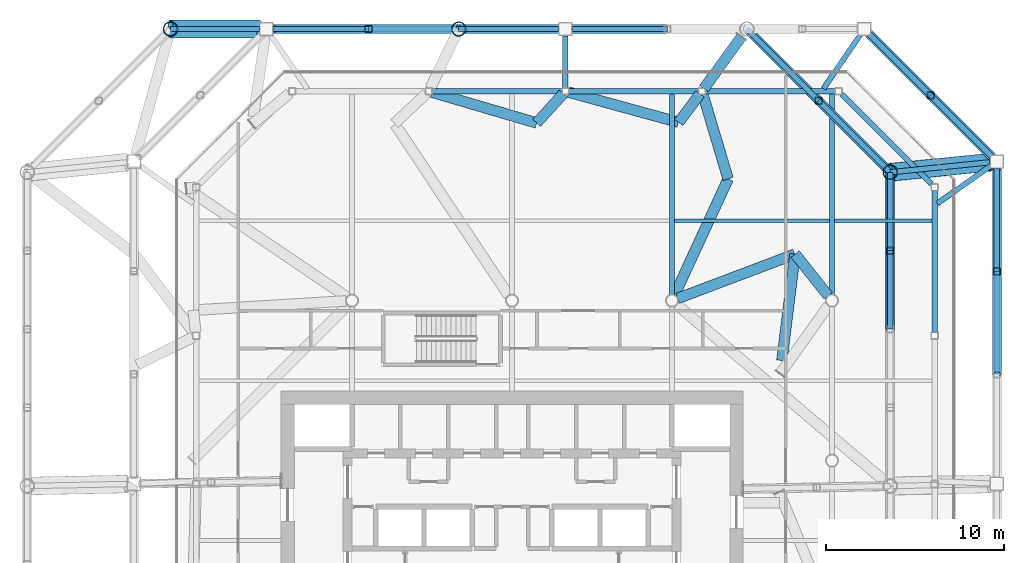
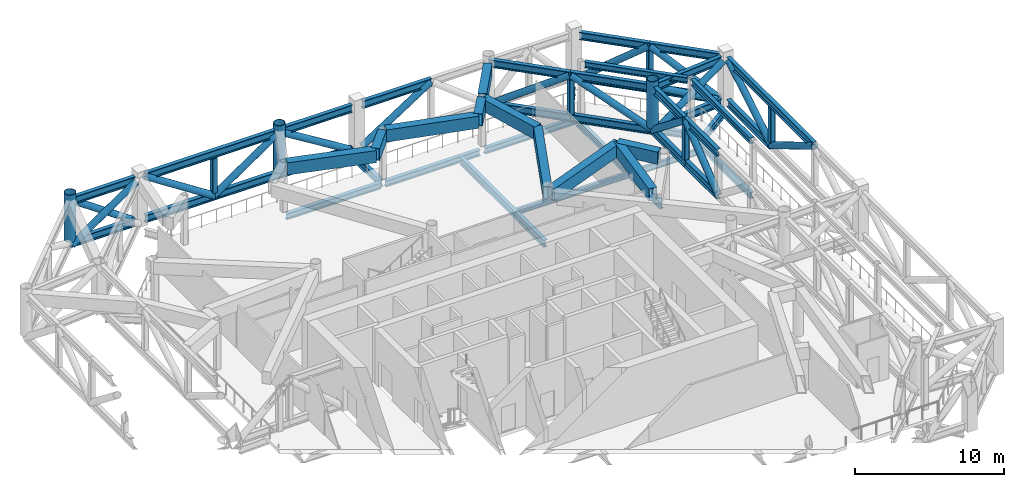
# One storey, part 7 of 21: 46 beams, 24 members.
"""IFC4 building model written with IfcOpenShell, lengths in metres."""

import ifcopenshell
import ifcopenshell.guid

model = None  # the IFC model being written
_history = None  # IfcOwnerHistory: only IFC2X3 demands one
_inside = {}  # id of a spatial element -> (the spatial element, [elements in it])
_under = {}  # id of a project, library or spatial element -> (it, [spatial elements below it])
_declared = {}  # id of a project -> (the project, [libraries it declares])
_typed = {}  # id of a type object -> (the type object, [elements of that type])
_made_of = {}  # id of a material, layer set ... -> (it, [elements and type objects made of it])


def new_model(schema):
    """Start an empty IFC model of exactly this schema.

    Asked for "IFC4X3", IfcOpenShell would pick the latest addendum, in which some entities
    have other attributes; the version numbers below select the first issue.
    IFC2X3 requires an IfcOwnerHistory on every rooted entity: one is made here for all.
    """
    global model, _history
    if schema == "IFC4X3":
        model = ifcopenshell.file(schema_version=(4, 3, 0, 0))
    else:
        model = ifcopenshell.file(schema=schema)
    _inside.clear()
    _under.clear()
    _declared.clear()
    _typed.clear()
    _made_of.clear()
    _history = None
    if model.schema == "IFC2X3":
        org = make("IfcOrganization", Name="unknown")
        user = make(
            "IfcPersonAndOrganization",
            ThePerson=make("IfcPerson", FamilyName="unknown"),
            TheOrganization=org,
        )
        app = make(
            "IfcApplication",
            ApplicationDeveloper=org,
            Version="unknown",
            ApplicationFullName="unknown",
            ApplicationIdentifier="unknown",
        )
        _history = make(
            "IfcOwnerHistory",
            OwningUser=user,
            OwningApplication=app,
            ChangeAction="ADDED",
            CreationDate=0,
        )
    return model


def make(cls, **values):
    """One entity of the class cls with the attributes given. An attribute that is None is left unset."""
    return model.create_entity(
        cls, **{name: value for name, value in values.items() if value is not None}
    )


def rooted(cls, **values):
    """An entity with a GlobalId (a new one), such as an element, a storey or a relation."""
    return make(cls, GlobalId=ifcopenshell.guid.new(), OwnerHistory=_history, **values)


def si_unit(unit_type, name, prefix=None):
    """IfcSIUnit, for example si_unit("LENGTHUNIT", "METRE", prefix="MILLI")."""
    return make("IfcSIUnit", UnitType=unit_type, Prefix=prefix, Name=name)


def assignment(units):
    """IfcUnitAssignment: the units of a project."""
    return None if units is None else make("IfcUnitAssignment", Units=units)


def point(xyz):
    """IfcCartesianPoint."""
    return None if xyz is None else make("IfcCartesianPoint", Coordinates=xyz)


def direction(xyz):
    """IfcDirection."""
    return None if xyz is None else make("IfcDirection", DirectionRatios=xyz)


def frame(location, z_axis=None, x_axis=None):
    """IfcAxis2Placement3D, a coordinate frame: its origin and axes. An axis left out is left unset."""
    return make(
        "IfcAxis2Placement3D",
        Location=point(location),
        Axis=direction(z_axis),
        RefDirection=direction(x_axis),
    )


def frame_2d(location, x_axis=None):
    """IfcAxis2Placement2D, a coordinate frame in the plane: its origin and x axis."""
    return make(
        "IfcAxis2Placement2D", Location=point(location), RefDirection=direction(x_axis)
    )


def origin():
    """The frame at (0, 0, 0) with its axes left unset."""
    return frame((0.0, 0.0, 0.0))


def origin_2d():
    """The frame at (0, 0) in the plane with its x axis left unset."""
    return frame_2d((0.0, 0.0))


def place(relative_to, where):
    """IfcLocalPlacement: puts the frame where relative to a parent placement (None: the world)."""
    return make(
        "IfcLocalPlacement", PlacementRelTo=relative_to, RelativePlacement=where
    )


def context(
    kind, dimensions, precision=None, world=None, true_north=None, identifier=None
):
    """IfcGeometricRepresentationContext, for example the 3D "Model" context."""
    return make(
        "IfcGeometricRepresentationContext",
        ContextIdentifier=identifier,
        ContextType=kind,
        CoordinateSpaceDimension=dimensions,
        Precision=precision,
        WorldCoordinateSystem=world,
        TrueNorth=true_north,
    )


def subcontext(parent, identifier, kind, view, scale=None):
    """IfcGeometricRepresentationSubContext, for example "Body" below "Model"."""
    return make(
        "IfcGeometricRepresentationSubContext",
        ContextIdentifier=identifier,
        ContextType=kind,
        ParentContext=parent,
        TargetScale=scale,
        TargetView=view,
    )


def project(units=None, contexts=None):
    """IfcProject with its units and contexts."""
    return rooted(
        "IfcProject",
        Name="project",
        RepresentationContexts=contexts,
        UnitsInContext=assignment(units),
    )


def spatial(cls, under=None, at=None, **own):
    """A site, building, storey or space (cls), placed at a placement, below another one or the project."""
    s = rooted(cls, ObjectPlacement=at, **own)
    if under is not None:
        _under.setdefault(under.id(), (under, []))[1].append(s)
    return s


def profile(cls, at=None, kind="AREA", **sizes):
    """A parametric profile (cls). Its sizes go by their IFC names, for example OverallWidth=200.0."""
    return make(cls, ProfileType=kind, Position=at, **sizes)


def hollow_rectangle(**sizes):
    """IfcRectangleHollowProfileDef."""
    return profile("IfcRectangleHollowProfileDef", **sizes)


def hollow_circle(**sizes):
    """IfcCircleHollowProfileDef."""
    return profile("IfcCircleHollowProfileDef", **sizes)


def i_section(**sizes):
    """IfcIShapeProfileDef."""
    return profile("IfcIShapeProfileDef", **sizes)


def extrude(swept, where, along, depth):
    """IfcExtrudedAreaSolid: the profile swept, set in the frame where, extruded along a direction by depth."""
    return make(
        "IfcExtrudedAreaSolid",
        SweptArea=swept,
        Position=where,
        ExtrudedDirection=direction(along),
        Depth=depth,
    )


def shape(context_of_items, identifier, shape_type, items):
    """IfcShapeRepresentation: the items that make up one representation, for example the "Body"."""
    return make(
        "IfcShapeRepresentation",
        ContextOfItems=context_of_items,
        RepresentationIdentifier=identifier,
        RepresentationType=shape_type,
        Items=items,
    )


def material(Name=None, Category=None):
    """IfcMaterial."""
    return make("IfcMaterial", Name=Name, Category=Category)


def material_profile(
    of_material, cross_section, Name=None, Category=None, Priority=None
):
    """IfcMaterialProfile: a cross section and its material."""
    return make(
        "IfcMaterialProfile",
        Name=Name,
        Material=of_material,
        Profile=cross_section,
        Priority=Priority,
        Category=Category,
    )


def profile_set(profiles, Name=None, composite=None):
    """IfcMaterialProfileSet."""
    return make(
        "IfcMaterialProfileSet",
        Name=Name,
        MaterialProfiles=profiles,
        CompositeProfile=composite,
    )


def made_of(thing, what):
    """Note that an element or type object is made of a material, layer set ...; save() writes the relation."""
    if what is not None:
        _made_of.setdefault(what.id(), (what, []))[1].append(thing)
    return thing


def type_object(cls, material=None, **own):
    """A type object (cls), such as IfcWallType, which elements share."""
    return made_of(rooted(cls, **own), material)


def element(
    cls,
    number,
    at=None,
    inside=None,
    cuts=None,
    type_object=None,
    material=None,
    context=None,
    identifier="Body",
    shape_type=None,
    held_by="IfcProductDefinitionShape",
    body=None,
    shapes=None,
    **own,
):
    """One element of the class cls, such as IfcWall. Its Tag is "e" and its number.

    at: its placement. inside: the storey or other place that contains it. cuts: it is an
    opening in that element (IfcRelVoidsElement). A single representation is given by context,
    identifier, shape_type and body (its items); several are given by shapes. held_by: the class
    of the entity that holds the representations. save() writes the other relations.
    """
    e = rooted(cls, Tag="e%d" % number, ObjectPlacement=at, **own)
    if body is not None:
        shapes = [shape(context, identifier, shape_type, body)]
    if shapes is not None:
        e.Representation = make(held_by, Representations=shapes)
    if inside is not None:
        _inside.setdefault(inside.id(), (inside, []))[1].append(e)
    if cuts is not None:
        rooted(
            "IfcRelVoidsElement", RelatingBuildingElement=cuts, RelatedOpeningElement=e
        )
    if type_object is not None:
        _typed.setdefault(type_object.id(), (type_object, []))[1].append(e)
    return made_of(e, material)


def aggregate(whole, parts):
    """IfcRelAggregates: a whole, such as a stair, and the parts it consists of."""
    return rooted("IfcRelAggregates", RelatingObject=whole, RelatedObjects=parts)


def save(model, path):
    """Write the relations noted so far, then the file.

    IfcRelAggregates (storeys below a building ...), IfcRelContainedInSpatialStructure (elements
    in a storey), IfcRelDefinesByType, IfcRelAssociatesMaterial and IfcRelDeclares: one each for
    every whole, place, type object, material and project.
    """
    for whole, parts in _under.values():
        aggregate(whole, parts)
    for where, things in _inside.values():
        rooted(
            "IfcRelContainedInSpatialStructure",
            RelatedElements=things,
            RelatingStructure=where,
        )
    for kind, things in _typed.values():
        rooted("IfcRelDefinesByType", RelatedObjects=things, RelatingType=kind)
    for what, things in _made_of.values():
        rooted("IfcRelAssociatesMaterial", RelatedObjects=things, RelatingMaterial=what)
    for by, libraries in _declared.values():
        rooted("IfcRelDeclares", RelatingContext=by, RelatedDefinitions=libraries)
    model.write(path)


model = new_model("IFC4")

# Units and contexts
model_context = context("Model", 3, precision=1e-05, world=origin(), true_north=direction((0.0, 1.0)))
body_context = subcontext(model_context, "Body", "Model", "MODEL_VIEW")
ifc_project = project(units=[si_unit("LENGTHUNIT", "METRE"), si_unit("AREAUNIT", "SQUARE_METRE"), si_unit("VOLUMEUNIT", "CUBIC_METRE"), si_unit("PLANEANGLEUNIT", "RADIAN"), si_unit("MASSUNIT", "GRAM", prefix="KILO")], contexts=[model_context])

# Site, building, storey
site_placement = place(None, origin())
site = spatial("IfcSite", under=ifc_project, at=site_placement, CompositionType="ELEMENT")
building_placement = place(site_placement, origin())
building = spatial("IfcBuilding", under=site, at=building_placement, Name="Tskaro Facet Tower", CompositionType="ELEMENT")
storey_placement = place(building_placement, frame((0.0, 0.0, 167.699951171875)))
storey = spatial("IfcBuildingStorey", under=building, at=storey_placement, Name="L41", CompositionType="ELEMENT", Elevation=167.699951171875)

# Beams
ifc_material_1 = material(Name="Steel S355J2", Category="steel")
ifc_material_profile_1 = material_profile(ifc_material_1, hollow_rectangle(XDim=0.60009765625, YDim=1.0, WallThickness=0.0400390625, at=origin_2d()), Name="BOX 600x1000x40")
ifc_profile_set_1 = profile_set([ifc_material_profile_1], Name="Steel S355J2")
beam_type_1 = type_object("IfcBeamType", Name="BOX 600x1000x40 transfer girder", PredefinedType="BEAM", material=ifc_profile_set_1)
beam_1_placement = place(storey_placement, frame((9.375244140625, 19.0234375, 3.580078125), z_axis=(0.598805390917, 0.800894564726, 0.0), x_axis=(-0.800894564726, 0.598805390917, 0.0)))
element("IfcBeam", 1, at=beam_1_placement, inside=storey, type_object=beam_type_1, Name="BOX 600x1000x40 TG4-16", PredefinedType="BEAM", context=body_context, shape_type="SweptSolid", body=[
    extrude(hollow_rectangle(XDim=0.60009765625, YDim=1.0, WallThickness=0.0400390625, at=origin_2d()), origin(), (0.0, 0.0, 1.0), 1.995849609375),
])
beam_2_placement = place(storey_placement, frame((9.35595703125, 19.02880859375, 3.580078125), z_axis=(-0.964313547363, 0.26476287952, 0.0), x_axis=(-0.26476287952, -0.964313547363, 0.0)))
element("IfcBeam", 2, at=beam_2_placement, inside=storey, type_object=beam_type_1, Name="BOX 600x1000x40 TG4-17", PredefinedType="BEAM", context=body_context, shape_type="SweptSolid", body=[
    extrude(hollow_rectangle(XDim=0.60009765625, YDim=1.0, WallThickness=0.0400390625, at=origin_2d()), origin(), (0.0, 0.0, 1.0), 6.4013671875),
])
beam_3_placement = place(storey_placement, frame((1.38427734375, 18.990478515625, 3.580078125), z_axis=(0.671328525324, 0.741159909254, 0.0), x_axis=(-0.741159909254, 0.671328525324, 0.0)))
element("IfcBeam", 3, at=beam_3_placement, inside=storey, type_object=beam_type_1, Name="BOX 600x1000x40 TG4-20", PredefinedType="BEAM", context=body_context, shape_type="SweptSolid", body=[
    extrude(hollow_rectangle(XDim=0.60009765625, YDim=1.0, WallThickness=0.0400390625, at=origin_2d()), origin(), (0.0, 0.0, 1.0), 2.216552734375),
])
beam_4_placement = place(storey_placement, frame((1.38427734375, 18.990478515625, 3.580078125), z_axis=(-0.959418080231, 0.281987494982, 0.0), x_axis=(-0.281987494982, -0.959418080231, 0.0)))
element("IfcBeam", 4, at=beam_4_placement, inside=storey, type_object=beam_type_1, Name="BOX 600x1000x40 TG4-21", PredefinedType="BEAM", context=body_context, shape_type="SweptSolid", body=[
    extrude(hollow_rectangle(XDim=0.60009765625, YDim=1.0, WallThickness=0.0400390625, at=origin_2d()), origin(), (0.0, 0.0, 1.0), 6.135009765625),
])
beam_5_placement = place(storey_placement, frame((15.9248046875, 11.615234375, 3.580078125), z_axis=(0.621586359218, -0.783345644038, 0.0), x_axis=(0.783345644038, 0.621586359218, 0.0)))
element("IfcBeam", 5, at=beam_5_placement, inside=storey, type_object=beam_type_1, Name="BOX 600x1000x40 TG4-32", PredefinedType="BEAM", context=body_context, shape_type="SweptSolid", body=[
    extrude(hollow_rectangle(XDim=0.60009765625, YDim=1.0, WallThickness=0.0400390625, at=origin_2d()), origin(), (0.0, 0.0, 1.0), 2.992919921875),
])
beam_6_placement = place(storey_placement, frame((15.90625, 11.608154296875, 3.580078125), z_axis=(-0.935511085907, -0.353297336737, 0.0), x_axis=(0.353297336737, -0.935511085907, 0.0)))
element("IfcBeam", 6, at=beam_6_placement, inside=storey, type_object=beam_type_1, Name="BOX 600x1000x40 TG4-33", PredefinedType="BEAM", context=body_context, shape_type="SweptSolid", body=[
    extrude(hollow_rectangle(XDim=0.60009765625, YDim=1.0, WallThickness=0.0400390625, at=origin_2d()), origin(), (0.0, 0.0, 1.0), 7.036865234375),
])
beam_7_placement = place(storey_placement, frame((12.893798828125, 23.830322265625, 3.580078125), z_axis=(-0.585903633732, -0.81038073273, 0.0), x_axis=(0.81038073273, -0.585903633732, 0.0)))
element("IfcBeam", 7, at=beam_7_placement, inside=storey, type_object=beam_type_1, Name="BOX 600x1000x40 TG4-36", PredefinedType="BEAM", context=body_context, shape_type="SweptSolid", body=[
    extrude(hollow_rectangle(XDim=0.60009765625, YDim=1.0, WallThickness=0.0400390625, at=origin_2d()), origin(), (0.0, 0.0, 1.0), 3.58154296875),
])
beam_8_placement = place(storey_placement, frame((15.177734375, 5.62451171875, 3.580078125), z_axis=(0.12374605077, 0.992313919543, 0.0), x_axis=(-0.992313919543, 0.12374605077, 0.0)))
element("IfcBeam", 8, at=beam_8_placement, inside=storey, type_object=beam_type_1, Name="BOX 600x1000x40 TG4-38", PredefinedType="BEAM", context=body_context, shape_type="SweptSolid", body=[
    extrude(hollow_rectangle(XDim=0.60009765625, YDim=1.0, WallThickness=0.0400390625, at=origin_2d()), origin(), (0.0, 0.0, 1.0), 6.037109375),
])
beam_9_placement = place(storey_placement, frame((12.15673828125, 15.841064453125, 3.580078125), z_axis=(-0.286082761524, 0.958204912093, 0.0), x_axis=(-0.958204912093, -0.286082761524, 0.0)))
element("IfcBeam", 9, at=beam_9_placement, inside=storey, type_object=beam_type_1, Name="BOX 600x1000x40 TG4-47", PredefinedType="BEAM", context=body_context, shape_type="SweptSolid", body=[
    extrude(hollow_rectangle(XDim=0.60009765625, YDim=1.0, WallThickness=0.0400390625, at=origin_2d()), origin(), (0.0, 0.0, 1.0), 4.958251953125),
])
beam_10_placement = place(storey_placement, frame((12.15673828125, 15.841064453125, 3.580078125), z_axis=(-0.418982798095, -0.907994171182, 0.0), x_axis=(0.907994171182, -0.418982798095, 0.0)))
element("IfcBeam", 10, at=beam_10_placement, inside=storey, type_object=beam_type_1, Name="BOX 600x1000x40 TG4-48", PredefinedType="BEAM", context=body_context, shape_type="SweptSolid", body=[
    extrude(hollow_rectangle(XDim=0.60009765625, YDim=1.0, WallThickness=0.0400390625, at=origin_2d()), origin(), (0.0, 0.0, 1.0), 7.188720703125),
])

# Members
ifc_material_2 = material(Name="Steel S355J2H", Category="steel")
ifc_material_profile_2 = material_profile(ifc_material_2, hollow_circle(Radius=0.25390625, WallThickness=0.02490234375, at=origin_2d()), Name="CHS 508x25")
ifc_profile_set_2 = profile_set([ifc_material_profile_2], Name="Steel S355J2H")
member_type_1 = type_object("IfcMemberType", Name="CHS 508x25 belt diagonal", PredefinedType="BRACE", material=ifc_profile_set_2)
for number, where, z_axis, x_axis, name in (
    (11, (27.27587890625, 4.8623046875, 3.77001953125), (0.0, 0.857953163996, -0.5137279128), (-1.0, 0.0, 0.0), "CHS 508x25 BD3-052"),
    (12, (27.27587890625, 10.640625, 0.31005859375), (0.0, 0.857953163996, 0.5137279128), (-1.0, 0.0, 0.0), "CHS 508x25 BD3-053"),
):
    element("IfcMember", number, at=place(storey_placement, frame(where, z_axis=z_axis, x_axis=x_axis)), inside=storey, type_object=member_type_1, Name=name, PredefinedType="BRACE", context=body_context, shape_type="SweptSolid", body=[
        extrude(hollow_circle(Radius=0.25390625, WallThickness=0.02490234375, at=origin_2d()), origin(), (0.0, 0.0, 1.0), 6.735107421875),
    ])
for number, where, z_axis, x_axis, name in (
    (13, (26.9931640625, 17.101806640625, 0.31005859375), (-0.576532147033, 0.576572998174, 0.578942364328), (-0.707131831467, -0.707081730019, 0.0), "CHS 508x25 BD3-061"),
    (14, (23.547607421875, 20.547607421875, 3.77001953125), (-0.576572998174, 0.576532147033, -0.578942364328), (-0.707081730019, -0.707131831467, 0.0), "CHS 508x25 BD3-062"),
):
    element("IfcMember", number, at=place(storey_placement, frame(where, z_axis=z_axis, x_axis=x_axis)), inside=storey, type_object=member_type_1, Name=name, PredefinedType="BRACE", context=body_context, shape_type="SweptSolid", body=[
        extrude(hollow_circle(Radius=0.25390625, WallThickness=0.02490234375, at=origin_2d()), origin(), (0.0, 0.0, 1.0), 5.976318359375),
    ])
member_1_placement = place(storey_placement, frame((8.73974609375, 24.27587890625, 3.77001953125), z_axis=(-0.839228217417, 0.0, -0.543779366187), x_axis=(0.0, -1.0, 0.0)))
element("IfcMember", 15, at=member_1_placement, inside=storey, type_object=member_type_1, Name="CHS 508x25 BD3-074", PredefinedType="BRACE", context=body_context, shape_type="SweptSolid", body=[
    extrude(hollow_circle(Radius=0.25390625, WallThickness=0.02490234375, at=origin_2d()), origin(), (0.0, 0.0, 1.0), 6.36279296875),
])
member_2_placement = place(storey_placement, frame((2.60009765625, 24.27587890625, 0.31005859375), z_axis=(-0.850724834926, 0.0, 0.525611315746), x_axis=(0.0, -1.0, 0.0)))
element("IfcMember", 16, at=member_2_placement, inside=storey, type_object=member_type_1, Name="CHS 508x25 BD3-081", PredefinedType="BRACE", context=body_context, shape_type="SweptSolid", body=[
    extrude(hollow_circle(Radius=0.25390625, WallThickness=0.02490234375, at=origin_2d()), origin(), (0.0, 0.0, 1.0), 6.582763671875),
])
member_3_placement = place(storey_placement, frame((-3.0, 24.27587890625, 3.77001953125), z_axis=(-0.826471832222, 0.0, -0.562978072879), x_axis=(0.0, -1.0, 0.0)))
element("IfcMember", 17, at=member_3_placement, inside=storey, type_object=member_type_1, Name="CHS 508x25 BD3-082", PredefinedType="BRACE", context=body_context, shape_type="SweptSolid", body=[
    extrude(hollow_circle(Radius=0.25390625, WallThickness=0.02490234375, at=origin_2d()), origin(), (0.0, 0.0, 1.0), 6.145751953125),
])
member_4_placement = place(storey_placement, frame((-8.079345703125, 24.27587890625, 0.31005859375), z_axis=(-0.83921687102, 0.0, 0.543796876964), x_axis=(0.0, -1.0, 0.0)))
element("IfcMember", 18, at=member_4_placement, inside=storey, type_object=member_type_1, Name="CHS 508x25 BD3-083", PredefinedType="BRACE", context=body_context, shape_type="SweptSolid", body=[
    extrude(hollow_circle(Radius=0.25390625, WallThickness=0.02490234375, at=origin_2d()), origin(), (0.0, 0.0, 1.0), 6.362548828125),
])
member_5_placement = place(storey_placement, frame((21.27587890625, 7.39111328125, 0.31005859375), z_axis=(0.0, 0.7869147708, 0.617061701531), x_axis=(-1.0, 0.0, 0.0)))
element("IfcMember", 19, at=member_5_placement, inside=storey, type_object=member_type_1, Name="CHS 508x25 TB3-05-D3", PredefinedType="BRACE", context=body_context, shape_type="SweptSolid", body=[
    extrude(hollow_circle(Radius=0.25390625, WallThickness=0.02490234375, at=origin_2d()), origin(), (0.0, 0.0, 1.0), 5.607177734375),
])
member_6_placement = place(storey_placement, frame((21.27587890625, 11.803466796875, 3.77001953125), z_axis=(0.0, 0.786931348807, -0.61704055966), x_axis=(-1.0, 0.0, 0.0)))
element("IfcMember", 20, at=member_6_placement, inside=storey, type_object=member_type_1, Name="CHS 508x25 TB3-05-D4", PredefinedType="BRACE", context=body_context, shape_type="SweptSolid", body=[
    extrude(hollow_circle(Radius=0.25390625, WallThickness=0.02490234375, at=origin_2d()), origin(), (0.0, 0.0, 1.0), 5.607421875),
])
for number, where, z_axis, x_axis, name in (
    (21, (21.27587890625, 16.216064453125, 0.31005859375), (-0.604418886952, 0.604455505084, 0.518952166841), (-0.707128199903, -0.707085361822, 0.0), "CHS 508x25 TB3-06-D1"),
    (22, (17.24609375, 20.24609375, 3.77001953125), (-0.604455505084, 0.604418886952, -0.518952166841), (-0.707085361822, -0.707128199903, 0.0), "CHS 508x25 TB3-06-D2"),
):
    element("IfcMember", number, at=place(storey_placement, frame(where, z_axis=z_axis, x_axis=x_axis)), inside=storey, type_object=member_type_1, Name=name, PredefinedType="BRACE", context=body_context, shape_type="SweptSolid", body=[
        extrude(hollow_circle(Radius=0.25390625, WallThickness=0.02490234375, at=origin_2d()), origin(), (0.0, 0.0, 1.0), 6.667236328125),
    ])
member_7_placement = place(storey_placement, frame((26.8525390625, 17.03173828125, 0.31005859375), z_axis=(-0.847713672527, -0.085192527188, 0.52356829805), x_axis=(0.099993141267, -0.994988126411, 0.0)))
element("IfcMember", 23, at=member_7_placement, inside=storey, type_object=member_type_1, Name="CHS 508x25 TL3-06A-D1", PredefinedType="BRACE", context=body_context, shape_type="SweptSolid", body=[
    extrude(hollow_circle(Radius=0.25390625, WallThickness=0.02490234375, at=origin_2d()), origin(), (0.0, 0.0, 1.0), 6.6083984375),
])
member_8_placement = place(storey_placement, frame((26.9033203125, 16.5263671875, 3.77001953125), z_axis=(-0.84770327672, -0.085195195298, -0.523584695475), x_axis=(0.099997455639, -0.994987692821, 0.0)))
element("IfcMember", 24, at=member_8_placement, inside=storey, type_object=member_type_1, Name="CHS 508x25 TL3-06A-D2", PredefinedType="BRACE", context=body_context, shape_type="SweptSolid", body=[
    extrude(hollow_circle(Radius=0.25390625, WallThickness=0.02490234375, at=origin_2d()), origin(), (0.0, 0.0, 1.0), 6.608154296875),
])
for number, where, z_axis, x_axis, name in (
    (25, (-14.218994140625, 24.530029296875, 0.31005859375), (-0.822157485012, 0.0, 0.569260107367), (0.0, -1.0, 0.0), "CHS 508x25 TL3-09A-D1"),
    (26, (-14.218994140625, 24.02197265625, 3.77001953125), (-0.822157485012, 0.0, -0.569260107367), (0.0, -1.0, 0.0), "CHS 508x25 TL3-09A-D2"),
):
    element("IfcMember", number, at=place(storey_placement, frame(where, z_axis=z_axis, x_axis=x_axis)), inside=storey, type_object=member_type_1, Name=name, PredefinedType="BRACE", context=body_context, shape_type="SweptSolid", body=[
        extrude(hollow_circle(Radius=0.25390625, WallThickness=0.02490234375, at=origin_2d()), origin(), (0.0, 0.0, 1.0), 6.077880859375),
    ])
ifc_material_profile_3 = material_profile(ifc_material_2, hollow_circle(Radius=0.406494140625, WallThickness=0.035888671875, at=origin_2d()), Name="CHS 812.8x36")
ifc_profile_set_3 = profile_set([ifc_material_profile_3], Name="Steel S355J2H")
member_type_2 = type_object("IfcMemberType", Name="CHS 812.8x36 transfer node post", PredefinedType="POST", material=ifc_profile_set_3)
for number, where, z_axis, x_axis, name in (
    (27, (21.27587890625, 16.216064453125, 0.6201171875), (0.0, 0.0, 1.0), (1.0, 0.0, 0.0), "CHS 812.8x36 TN3-06"),
    (28, (-3.0, 24.27587890625, 0.6201171875), (0.0, 0.0, 1.0), (1.0, 0.0, 0.0), "CHS 812.8x36 TN3-08"),
    (29, (-19.216064453125, 24.27587890625, 0.6201171875), (0.0, 0.0, 1.0), (1.0, 0.0, 0.0), "CHS 812.8x36 TN3-09"),
):
    element("IfcMember", number, at=place(storey_placement, frame(where, z_axis=z_axis, x_axis=x_axis)), inside=storey, type_object=member_type_2, Name=name, PredefinedType="POST", context=body_context, shape_type="SweptSolid", body=[
        extrude(hollow_circle(Radius=0.406494140625, WallThickness=0.035888671875, at=origin_2d()), origin(), (0.0, 0.0, 1.0), 3.8798828125),
    ])

# Beams
ifc_material_profile_4 = material_profile(ifc_material_1, i_section(OverallWidth=0.300048828125, OverallDepth=0.5, WebThickness=0.014404296875, FlangeThickness=0.028076171875, FilletRadius=0.027099609375, at=origin_2d()), Name="HE 500 B")
ifc_profile_set_4 = profile_set([ifc_material_profile_4], Name="Steel S355J2")
beam_type_2 = type_object("IfcBeamType", Name="HE 500 B ring beam", PredefinedType="BEAM", material=ifc_profile_set_4)
beam_11_placement = place(storey_placement, frame((23.77392578125, 7.2060546875, -0.5), z_axis=(0.0, 1.0, 0.0), x_axis=(-1.0, 0.0, 0.0)))
element("IfcBeam", 30, at=beam_11_placement, inside=storey, type_object=beam_type_2, Name="HE 500 B EB9-3", PredefinedType="BEAM", context=body_context, shape_type="SweptSolid", body=[
    extrude(i_section(OverallWidth=0.300048828125, OverallDepth=0.5, WebThickness=0.014404296875, FlangeThickness=0.028076171875, FilletRadius=0.027099609375, at=origin_2d()), origin(), (0.0, 0.0, 1.0), 7.98193359375),
])
beam_12_placement = place(storey_placement, frame((23.588134765625, 15.553955078125, -0.5), z_axis=(-0.707106781187, 0.707106781187, 0.0), x_axis=(-0.707106781187, -0.707106781187, 0.0)))
element("IfcBeam", 31, at=beam_12_placement, inside=storey, type_object=beam_type_2, Name="HE 500 B EB10-3", PredefinedType="BEAM", context=body_context, shape_type="SweptSolid", body=[
    extrude(i_section(OverallWidth=0.300048828125, OverallDepth=0.5, WebThickness=0.014404296875, FlangeThickness=0.028076171875, FilletRadius=0.027099609375, at=origin_2d()), origin(), (0.0, 0.0, 1.0), 7.119384765625),
])
for number, where, z_axis, x_axis, name in (
    (32, (18.18798828125, 20.77392578125, -0.5), (-1.0, 0.0, 0.0), (0.0, -1.0, 0.0), "HE 500 B EB11-3"),
    (33, (10.50390625, 20.77392578125, -0.5), (-1.0, 0.0, 0.0), (0.0, -1.0, 0.0), "HE 500 B EB12-3"),
    (34, (2.820068359375, 20.77392578125, -0.5), (-1.0, 0.0, 0.0), (0.0, -1.0, 0.0), "HE 500 B EB13-3"),
):
    element("IfcBeam", number, at=place(storey_placement, frame(where, z_axis=z_axis, x_axis=x_axis)), inside=storey, type_object=beam_type_2, Name=name, PredefinedType="BEAM", context=body_context, shape_type="SweptSolid", body=[
        extrude(i_section(OverallWidth=0.300048828125, OverallDepth=0.5, WebThickness=0.014404296875, FlangeThickness=0.028076171875, FilletRadius=0.027099609375, at=origin_2d()), origin(), (0.0, 0.0, 1.0), 7.323974609375),
    ])
beam_13_placement = place(storey_placement, frame((23.77392578125, 7.2060546875, 4.0), z_axis=(0.0, 1.0, 0.0), x_axis=(-1.0, 0.0, 0.0)))
element("IfcBeam", 35, at=beam_13_placement, inside=storey, type_object=beam_type_2, Name="HE 500 B EB9-3R", PredefinedType="BEAM", context=body_context, shape_type="SweptSolid", body=[
    extrude(i_section(OverallWidth=0.300048828125, OverallDepth=0.5, WebThickness=0.014404296875, FlangeThickness=0.028076171875, FilletRadius=0.027099609375, at=origin_2d()), origin(), (0.0, 0.0, 1.0), 7.98193359375),
])
beam_14_placement = place(storey_placement, frame((23.588134765625, 15.553955078125, 4.0), z_axis=(-0.707106781187, 0.707106781187, 0.0), x_axis=(-0.707106781187, -0.707106781187, 0.0)))
element("IfcBeam", 36, at=beam_14_placement, inside=storey, type_object=beam_type_2, Name="HE 500 B EB10-3R", PredefinedType="BEAM", context=body_context, shape_type="SweptSolid", body=[
    extrude(i_section(OverallWidth=0.300048828125, OverallDepth=0.5, WebThickness=0.014404296875, FlangeThickness=0.028076171875, FilletRadius=0.027099609375, at=origin_2d()), origin(), (0.0, 0.0, 1.0), 7.119384765625),
])
ifc_material_profile_5 = material_profile(ifc_material_1, i_section(OverallWidth=0.300048828125, OverallDepth=0.590087890625, WebThickness=0.012939453125, FlangeThickness=0.02490234375, FilletRadius=0.027099609375, at=origin_2d()), Name="HE 600 A")
ifc_profile_set_5 = profile_set([ifc_material_profile_5], Name="Steel S355J2")
beam_type_3 = type_object("IfcBeamType", Name="HE 600 A girder", PredefinedType="BEAM", material=ifc_profile_set_5)
for number, where, z_axis, x_axis, name in (
    (37, (9.0, 9.325439453125, -0.544921875), (0.0, 1.0, 0.0), (-1.0, 0.0, 0.0), "HE 600 A GB5-3-3"),
    (38, (18.0, 9.325439453125, -0.544921875), (0.0, 1.0, 0.0), (-1.0, 0.0, 0.0), "HE 600 A GB6-4-3"),
):
    element("IfcBeam", number, at=place(storey_placement, frame(where, z_axis=z_axis, x_axis=x_axis)), inside=storey, type_object=beam_type_3, Name=name, PredefinedType="BEAM", context=body_context, shape_type="SweptSolid", body=[
        extrude(i_section(OverallWidth=0.300048828125, OverallDepth=0.590087890625, WebThickness=0.012939453125, FlangeThickness=0.02490234375, FilletRadius=0.027099609375, at=origin_2d()), origin(), (0.0, 0.0, 1.0), 11.298583984375),
    ])
ifc_material_profile_6 = material_profile(ifc_material_1, i_section(OverallWidth=0.300048828125, OverallDepth=0.60009765625, WebThickness=0.015380859375, FlangeThickness=0.030029296875, FilletRadius=0.027099609375, at=origin_2d()), Name="HE 600 B")
ifc_profile_set_6 = profile_set([ifc_material_profile_6], Name="Steel S355J2")
beam_type_4 = type_object("IfcBeamType", Name="HE 600 B floor strut", PredefinedType="BEAM", material=ifc_profile_set_6)
beam_15_placement = place(storey_placement, frame((26.94873046875, 16.589111328125, -0.550048828125), z_axis=(-0.81815391254, -0.574999282952, 0.0), x_axis=(0.574999282952, -0.81815391254, 0.0)))
element("IfcBeam", 39, at=beam_15_placement, inside=storey, type_object=beam_type_4, Name="HE 600 B ES3-06", PredefinedType="BEAM", context=body_context, shape_type="SweptSolid", body=[
    extrude(i_section(OverallWidth=0.300048828125, OverallDepth=0.60009765625, WebThickness=0.015380859375, FlangeThickness=0.030029296875, FilletRadius=0.027099609375, at=origin_2d()), origin(), (0.0, 0.0, 1.0), 3.697021484375),
])
beam_16_placement = place(storey_placement, frame((19.5927734375, 23.946044921875, -0.550048828125), z_axis=(-0.565719945605, -0.824597443087, 0.0), x_axis=(0.824597443087, -0.565719945605, 0.0)))
element("IfcBeam", 40, at=beam_16_placement, inside=storey, type_object=beam_type_4, Name="HE 600 B ES3-07", PredefinedType="BEAM", context=body_context, shape_type="SweptSolid", body=[
    extrude(i_section(OverallWidth=0.300048828125, OverallDepth=0.60009765625, WebThickness=0.015380859375, FlangeThickness=0.030029296875, FilletRadius=0.027099609375, at=origin_2d()), origin(), (0.0, 0.0, 1.0), 3.664794921875),
])
beam_17_placement = place(storey_placement, frame((3.0, 23.8759765625, -0.550048828125), z_axis=(0.0, -1.0, 0.0), x_axis=(1.0, 0.0, 0.0)))
element("IfcBeam", 41, at=beam_17_placement, inside=storey, type_object=beam_type_4, Name="HE 600 B ES3-08", PredefinedType="BEAM", context=body_context, shape_type="SweptSolid", body=[
    extrude(i_section(OverallWidth=0.300048828125, OverallDepth=0.60009765625, WebThickness=0.015380859375, FlangeThickness=0.030029296875, FilletRadius=0.027099609375, at=origin_2d()), origin(), (0.0, 0.0, 1.0), 2.951904296875),
])
ifc_material_profile_7 = material_profile(ifc_material_1, i_section(OverallWidth=0.304931640625, OverallDepth=0.6201171875, WebThickness=0.02099609375, FlangeThickness=0.0400390625, FilletRadius=0.027099609375, at=origin_2d()), Name="HE 600 M")
ifc_profile_set_7 = profile_set([ifc_material_profile_7], Name="Steel S355J2")
beam_type_5 = type_object("IfcBeamType", Name="HE 600 M belt chord", PredefinedType="BEAM", material=ifc_profile_set_7)
beam_18_placement = place(storey_placement, frame((27.27587890625, 4.8623046875, 3.77001953125), z_axis=(0.0, 1.0, 0.0), x_axis=(-1.0, 0.0, 0.0)))
element("IfcBeam", 42, at=beam_18_placement, inside=storey, type_object=beam_type_5, Name="HE 600 M BT3-05T2", PredefinedType="BEAM", context=body_context, shape_type="SweptSolid", body=[
    extrude(i_section(OverallWidth=0.304931640625, OverallDepth=0.6201171875, WebThickness=0.02099609375, FlangeThickness=0.0400390625, FilletRadius=0.027099609375, at=origin_2d()), origin(), (0.0, 0.0, 1.0), 11.556640625),
])
beam_19_placement = place(storey_placement, frame((27.27587890625, 10.640625, 0.31005859375), z_axis=(0.0, 1.0, 0.0), x_axis=(-1.0, 0.0, 0.0)))
element("IfcBeam", 43, at=beam_19_placement, inside=storey, type_object=beam_type_5, Name="HE 600 M BT3-05B2", PredefinedType="BEAM", context=body_context, shape_type="SweptSolid", body=[
    extrude(i_section(OverallWidth=0.304931640625, OverallDepth=0.6201171875, WebThickness=0.02099609375, FlangeThickness=0.0400390625, FilletRadius=0.027099609375, at=origin_2d()), origin(), (0.0, 0.0, 1.0), 5.7783203125),
])
for number, where, z_axis, x_axis, name in (
    (44, (26.9931640625, 17.101806640625, 3.77001953125), (-0.707081730019, 0.707131831467, 0.0), (-0.707131831467, -0.707081730019, 0.0), "HE 600 M BT3-06T1"),
    (45, (23.547607421875, 20.547607421875, 3.77001953125), (-0.707131831467, 0.707081730019, 0.0), (-0.707081730019, -0.707131831467, 0.0), "HE 600 M BT3-06T2"),
):
    element("IfcBeam", number, at=place(storey_placement, frame(where, z_axis=z_axis, x_axis=x_axis)), inside=storey, type_object=beam_type_5, Name=name, PredefinedType="BEAM", context=body_context, shape_type="SweptSolid", body=[
        extrude(i_section(OverallWidth=0.304931640625, OverallDepth=0.6201171875, WebThickness=0.02099609375, FlangeThickness=0.0400390625, FilletRadius=0.027099609375, at=origin_2d()), origin(), (0.0, 0.0, 1.0), 4.873046875),
    ])
beam_20_placement = place(storey_placement, frame((26.9931640625, 17.101806640625, 0.31005859375), z_axis=(-0.707106781187, 0.707106781187, 0.0), x_axis=(-0.707106781187, -0.707106781187, 0.0)))
element("IfcBeam", 46, at=beam_20_placement, inside=storey, type_object=beam_type_5, Name="HE 600 M BT3-06B1", PredefinedType="BEAM", context=body_context, shape_type="SweptSolid", body=[
    extrude(i_section(OverallWidth=0.304931640625, OverallDepth=0.6201171875, WebThickness=0.02099609375, FlangeThickness=0.0400390625, FilletRadius=0.027099609375, at=origin_2d()), origin(), (0.0, 0.0, 1.0), 9.745849609375),
])
beam_21_placement = place(storey_placement, frame((8.73974609375, 24.27587890625, 3.77001953125), z_axis=(-1.0, 0.0, 0.0), x_axis=(0.0, -1.0, 0.0)))
element("IfcBeam", 47, at=beam_21_placement, inside=storey, type_object=beam_type_5, Name="HE 600 M BT3-07T3", PredefinedType="BEAM", context=body_context, shape_type="SweptSolid", body=[
    extrude(i_section(OverallWidth=0.304931640625, OverallDepth=0.6201171875, WebThickness=0.02099609375, FlangeThickness=0.0400390625, FilletRadius=0.027099609375, at=origin_2d()), origin(), (0.0, 0.0, 1.0), 5.33984375),
])
beam_22_placement = place(storey_placement, frame((2.60009765625, 24.27587890625, 3.77001953125), z_axis=(-1.0, 0.0, 0.0), x_axis=(0.0, -1.0, 0.0)))
element("IfcBeam", 48, at=beam_22_placement, inside=storey, type_object=beam_type_5, Name="HE 600 M BT3-08T1", PredefinedType="BEAM", context=body_context, shape_type="SweptSolid", body=[
    extrude(i_section(OverallWidth=0.304931640625, OverallDepth=0.6201171875, WebThickness=0.02099609375, FlangeThickness=0.0400390625, FilletRadius=0.027099609375, at=origin_2d()), origin(), (0.0, 0.0, 1.0), 5.60009765625),
])
beam_23_placement = place(storey_placement, frame((-3.0, 24.27587890625, 3.77001953125), z_axis=(-1.0, 0.0, 0.0), x_axis=(0.0, -1.0, 0.0)))
element("IfcBeam", 49, at=beam_23_placement, inside=storey, type_object=beam_type_5, Name="HE 600 M BT3-08T2", PredefinedType="BEAM", context=body_context, shape_type="SweptSolid", body=[
    extrude(i_section(OverallWidth=0.304931640625, OverallDepth=0.6201171875, WebThickness=0.02099609375, FlangeThickness=0.0400390625, FilletRadius=0.027099609375, at=origin_2d()), origin(), (0.0, 0.0, 1.0), 10.4189453125),
])
beam_24_placement = place(storey_placement, frame((2.60009765625, 24.27587890625, 0.31005859375), z_axis=(-1.0, 0.0, 0.0), x_axis=(0.0, -1.0, 0.0)))
element("IfcBeam", 50, at=beam_24_placement, inside=storey, type_object=beam_type_5, Name="HE 600 M BT3-08B1", PredefinedType="BEAM", context=body_context, shape_type="SweptSolid", body=[
    extrude(i_section(OverallWidth=0.304931640625, OverallDepth=0.6201171875, WebThickness=0.02099609375, FlangeThickness=0.0400390625, FilletRadius=0.027099609375, at=origin_2d()), origin(), (0.0, 0.0, 1.0), 10.679443359375),
])
beam_25_placement = place(storey_placement, frame((-8.079345703125, 24.27587890625, 0.31005859375), z_axis=(-1.0, 0.0, 0.0), x_axis=(0.0, -1.0, 0.0)))
element("IfcBeam", 51, at=beam_25_placement, inside=storey, type_object=beam_type_5, Name="HE 600 M BT3-08B2", PredefinedType="BEAM", context=body_context, shape_type="SweptSolid", body=[
    extrude(i_section(OverallWidth=0.304931640625, OverallDepth=0.6201171875, WebThickness=0.02099609375, FlangeThickness=0.0400390625, FilletRadius=0.027099609375, at=origin_2d()), origin(), (0.0, 0.0, 1.0), 5.339599609375),
])
for number, where, z_axis, x_axis, name in (
    (52, (21.27587890625, 7.39111328125, 3.77001953125), (0.0, 1.0, 0.0), (-1.0, 0.0, 0.0), "HE 600 M TB3-05-T3"),
    (53, (21.27587890625, 7.39111328125, 0.31005859375), (0.0, 1.0, 0.0), (-1.0, 0.0, 0.0), "HE 600 M TB3-05-B3"),
):
    element("IfcBeam", number, at=place(storey_placement, frame(where, z_axis=z_axis, x_axis=x_axis)), inside=storey, type_object=beam_type_5, Name=name, PredefinedType="BEAM", context=body_context, shape_type="SweptSolid", body=[
        extrude(i_section(OverallWidth=0.304931640625, OverallDepth=0.6201171875, WebThickness=0.02099609375, FlangeThickness=0.0400390625, FilletRadius=0.027099609375, at=origin_2d()), origin(), (0.0, 0.0, 1.0), 4.412353515625),
    ])
for number, where, z_axis, x_axis, name in (
    (54, (21.27587890625, 11.803466796875, 3.77001953125), (0.0, 1.0, 0.0), (-1.0, 0.0, 0.0), "HE 600 M TB3-05-T4"),
    (55, (21.27587890625, 11.803466796875, 0.31005859375), (0.0, 1.0, 0.0), (-1.0, 0.0, 0.0), "HE 600 M TB3-05-B4"),
):
    element("IfcBeam", number, at=place(storey_placement, frame(where, z_axis=z_axis, x_axis=x_axis)), inside=storey, type_object=beam_type_5, Name=name, PredefinedType="BEAM", context=body_context, shape_type="SweptSolid", body=[
        extrude(i_section(OverallWidth=0.304931640625, OverallDepth=0.6201171875, WebThickness=0.02099609375, FlangeThickness=0.0400390625, FilletRadius=0.027099609375, at=origin_2d()), origin(), (0.0, 0.0, 1.0), 4.41259765625),
    ])
for number, where, z_axis, x_axis, name in (
    (56, (21.27587890625, 16.216064453125, 3.77001953125), (-0.707085361822, 0.707128199903, 0.0), (-0.707128199903, -0.707085361822, 0.0), "HE 600 M TB3-06-T1"),
    (57, (21.27587890625, 16.216064453125, 0.31005859375), (-0.707085361822, 0.707128199903, 0.0), (-0.707128199903, -0.707085361822, 0.0), "HE 600 M TB3-06-B1"),
    (58, (17.24609375, 20.24609375, 3.77001953125), (-0.707128199903, 0.707085361822, 0.0), (-0.707085361822, -0.707128199903, 0.0), "HE 600 M TB3-06-T2"),
    (59, (17.24609375, 20.24609375, 0.31005859375), (-0.707128199903, 0.707085361822, 0.0), (-0.707085361822, -0.707128199903, 0.0), "HE 600 M TB3-06-B2"),
):
    element("IfcBeam", number, at=place(storey_placement, frame(where, z_axis=z_axis, x_axis=x_axis)), inside=storey, type_object=beam_type_5, Name=name, PredefinedType="BEAM", context=body_context, shape_type="SweptSolid", body=[
        extrude(i_section(OverallWidth=0.304931640625, OverallDepth=0.6201171875, WebThickness=0.02099609375, FlangeThickness=0.0400390625, FilletRadius=0.027099609375, at=origin_2d()), origin(), (0.0, 0.0, 1.0), 5.69921875),
    ])
for number, where, z_axis, x_axis, name in (
    (60, (26.8779296875, 16.779052734375, 3.77001953125), (-0.994988126411, -0.099993141267, 0.0), (0.099993141267, -0.994988126411, 0.0), "HE 600 M TL3-06A-T1"),
    (61, (26.8779296875, 16.779052734375, 0.31005859375), (-0.994988126411, -0.099993141267, 0.0), (0.099993141267, -0.994988126411, 0.0), "HE 600 M TL3-06A-B1"),
):
    element("IfcBeam", number, at=place(storey_placement, frame(where, z_axis=z_axis, x_axis=x_axis)), inside=storey, type_object=beam_type_5, Name=name, PredefinedType="BEAM", context=body_context, shape_type="SweptSolid", body=[
        extrude(i_section(OverallWidth=0.304931640625, OverallDepth=0.6201171875, WebThickness=0.02099609375, FlangeThickness=0.0400390625, FilletRadius=0.027099609375, at=origin_2d()), origin(), (0.0, 0.0, 1.0), 5.63037109375),
    ])
for number, where, z_axis, x_axis, name in (
    (62, (-14.218994140625, 24.27587890625, 3.77001953125), (-1.0, 0.0, 0.0), (0.0, -1.0, 0.0), "HE 600 M TL3-09A-T1"),
    (63, (-14.218994140625, 24.27587890625, 0.31005859375), (-1.0, 0.0, 0.0), (0.0, -1.0, 0.0), "HE 600 M TL3-09A-B1"),
):
    element("IfcBeam", number, at=place(storey_placement, frame(where, z_axis=z_axis, x_axis=x_axis)), inside=storey, type_object=beam_type_5, Name=name, PredefinedType="BEAM", context=body_context, shape_type="SweptSolid", body=[
        extrude(i_section(OverallWidth=0.304931640625, OverallDepth=0.6201171875, WebThickness=0.02099609375, FlangeThickness=0.0400390625, FilletRadius=0.027099609375, at=origin_2d()), origin(), (0.0, 0.0, 1.0), 4.9970703125),
    ])
ifc_material_profile_8 = material_profile(ifc_material_1, i_section(OverallWidth=0.199951171875, OverallDepth=0.5, WebThickness=0.01025390625, FlangeThickness=0.01611328125, FilletRadius=0.02099609375, at=origin_2d()), Name="IPE 500")
ifc_profile_set_8 = profile_set([ifc_material_profile_8], Name="Steel S355J2")
beam_type_6 = type_object("IfcBeamType", Name="IPE 500 secondary beam", PredefinedType="BEAM", material=ifc_profile_set_8)
beam_26_placement = place(storey_placement, frame((9.14990234375, 13.5, -0.5), z_axis=(1.0, 0.0, 0.0), x_axis=(0.0, 1.0, 0.0)))
element("IfcBeam", 64, at=beam_26_placement, inside=storey, type_object=beam_type_6, Name="IPE 500 SB5a-4-3", PredefinedType="BEAM", context=body_context, shape_type="SweptSolid", body=[
    extrude(i_section(OverallWidth=0.199951171875, OverallDepth=0.5, WebThickness=0.01025390625, FlangeThickness=0.01611328125, FilletRadius=0.02099609375, at=origin_2d()), origin(), (0.0, 0.0, 1.0), 8.7001953125),
])
beam_27_placement = place(storey_placement, frame((18.14990234375, 13.5, -0.5), z_axis=(1.0, 0.0, 0.0), x_axis=(0.0, 1.0, 0.0)))
element("IfcBeam", 65, at=beam_27_placement, inside=storey, type_object=beam_type_6, Name="IPE 500 SB5a-5-3", PredefinedType="BEAM", context=body_context, shape_type="SweptSolid", body=[
    extrude(i_section(OverallWidth=0.199951171875, OverallDepth=0.5, WebThickness=0.01025390625, FlangeThickness=0.01611328125, FilletRadius=0.02099609375, at=origin_2d()), origin(), (0.0, 0.0, 1.0), 5.47412109375),
])

# Members
ifc_material_profile_9 = material_profile(ifc_material_2, hollow_rectangle(XDim=0.39990234375, YDim=0.39990234375, WallThickness=0.02490234375, InnerFilletRadius=0.03759765625, OuterFilletRadius=0.0625, at=origin_2d()), Name="SHS 400x400x25")
ifc_profile_set_9 = profile_set([ifc_material_profile_9], Name="Steel S355J2H")
member_type_3 = type_object("IfcMemberType", Name="SHS 400x400x25 belt post", PredefinedType="POST", material=ifc_profile_set_9)
for number, where, z_axis, x_axis, name in (
    (66, (27.27587890625, 10.640625, 0.6201171875), (0.0, 0.0, 1.0), (1.0, 0.0, 0.0), "SHS 400x400x25 BP3-052"),
    (67, (23.547607421875, 20.547607421875, 0.6201171875), (0.0, 0.0, 1.0), (1.0, 0.0, 0.0), "SHS 400x400x25 BP3-061"),
    (68, (-8.079345703125, 24.27587890625, 0.6201171875), (0.0, 0.0, 1.0), (1.0, 0.0, 0.0), "SHS 400x400x25 BP3-082"),
    (69, (21.27587890625, 11.803466796875, 0.6201171875), (0.0, 0.0, 1.0), (1.0, 0.0, 0.0), "SHS 400x400x25 TB3-05-P3"),
    (70, (17.24609375, 20.24609375, 0.6201171875), (0.0, 0.0, 1.0), (1.0, 0.0, 0.0), "SHS 400x400x25 TB3-06-P1"),
):
    element("IfcMember", number, at=place(storey_placement, frame(where, z_axis=z_axis, x_axis=x_axis)), inside=storey, type_object=member_type_3, Name=name, PredefinedType="POST", context=body_context, shape_type="SweptSolid", body=[
        extrude(hollow_rectangle(XDim=0.39990234375, YDim=0.39990234375, WallThickness=0.02490234375, InnerFilletRadius=0.03759765625, OuterFilletRadius=0.0625, at=origin_2d()), origin(), (0.0, 0.0, 1.0), 2.83984375),
    ])

save(model, "model.ifc")
